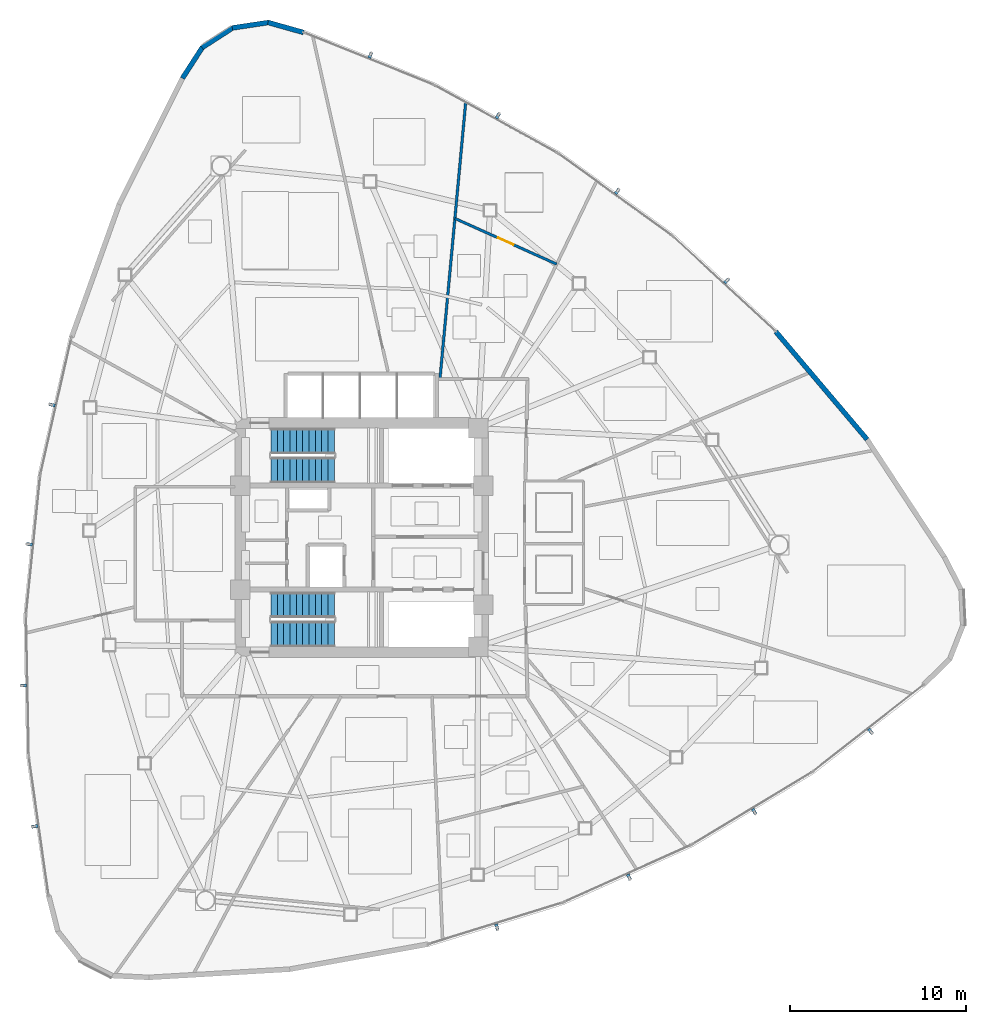
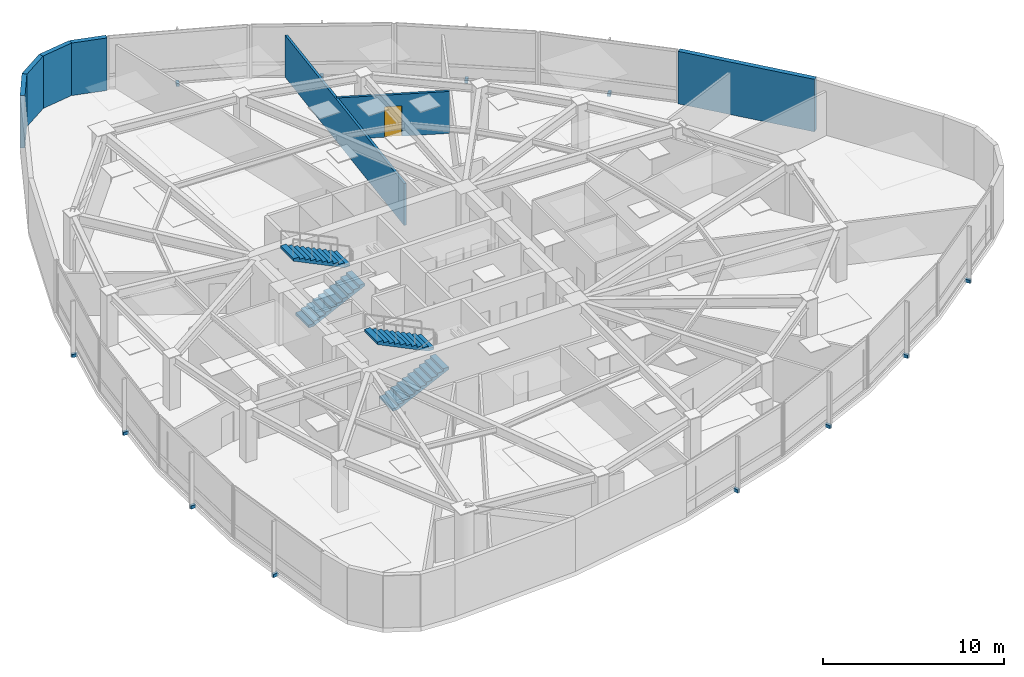
# One storey, part 13 of 17: 12 discrete accessories, 7 walls, 4 stair flights, 1 door, 1 opening, 2 elements without a shape of their own.
"""IFC4 building model written with IfcOpenShell, lengths in metres."""

from ifc_helpers import new_model, si_unit, direction, frame, frame_2d, origin, origin_2d, place, context, subcontext, project, spatial, polyline, rectangle, outline, extrude, source, transform, mapped, material, layer, layer_set, type_object, type_shapes, element, fill, aggregate, save


model = new_model("IFC4")

# Units and contexts
model_context = context("Model", 3, precision=1e-05, world=origin(), true_north=direction((0.0, 1.0)))
body_context = subcontext(model_context, "Body", "Model", "MODEL_VIEW")
ifc_project = project(units=[si_unit("LENGTHUNIT", "METRE"), si_unit("AREAUNIT", "SQUARE_METRE"), si_unit("VOLUMEUNIT", "CUBIC_METRE"), si_unit("PLANEANGLEUNIT", "RADIAN"), si_unit("MASSUNIT", "GRAM", prefix="KILO")], contexts=[model_context])

# Site, building, storey
site_placement = place(None, origin())
site = spatial("IfcSite", under=ifc_project, at=site_placement, CompositionType="ELEMENT")
building_placement = place(site_placement, origin())
building = spatial("IfcBuilding", under=site, at=building_placement, Name="Tavelor Broadcast Tower", CompositionType="ELEMENT")
storey_placement = place(building_placement, frame((0.0, 0.0, 119.449951171875)))
storey = spatial("IfcBuildingStorey", under=building, at=storey_placement, Name="L27", CompositionType="ELEMENT", Elevation=119.449951171875)

# Walls
ifc_material_1 = material(Name="Precast Concrete C40/50", Category="concrete")
ifc_layer_1 = layer(ifc_material_1, 0.280029296875)
ifc_layer_set_1 = layer_set([ifc_layer_1], Name="Precast Concrete C40/50")
wall_type_1 = type_object("IfcWallType", Name="Insulated Precast Terracotta Facade Wall 280 mm", PredefinedType="STANDARD", material=ifc_layer_set_1)
wall_1_placement = place(storey_placement, frame((46.693115234375, 73.658935546875, 0.0), z_axis=(0.0, 0.0, 1.0), x_axis=(-0.962462203844, 0.271415744149, 0.0)))
element("IfcWall", 1, at=wall_1_placement, inside=storey, type_object=wall_type_1, Name="L27 Rounded Corner Structural Cladding Pier 01", PredefinedType="STANDARD", context=body_context, shape_type="SweptSolid", body=[
    extrude(rectangle(XDim=2.088623046875, YDim=0.280029296875, at=frame_2d((1.04443359375, 0.0))), origin(), (0.0, 0.0, 1.0), 3.550048828125),
])
wall_2_placement = place(storey_placement, frame((44.7119140625, 74.22412109375, 0.0), z_axis=(0.0, 0.0, 1.0), x_axis=(-0.988881099221, -0.148708344094, 0.0)))
element("IfcWall", 2, at=wall_2_placement, inside=storey, type_object=wall_type_1, Name="L27 Rounded Corner Structural Cladding Pier 02", PredefinedType="STANDARD", context=body_context, shape_type="SweptSolid", body=[
    extrude(rectangle(XDim=2.076904296875, YDim=0.280029296875, at=frame_2d((1.03857421875, 0.0))), origin(), (0.0, 0.0, 1.0), 3.550048828125),
])
wall_3_placement = place(storey_placement, frame((42.685546875, 73.92578125, 0.0), z_axis=(0.0, 0.0, 1.0), x_axis=(-0.840080668431, -0.542461492208, 0.0)))
element("IfcWall", 3, at=wall_3_placement, inside=storey, type_object=wall_type_1, Name="L27 Rounded Corner Structural Cladding Pier 03", PredefinedType="STANDARD", context=body_context, shape_type="SweptSolid", body=[
    extrude(rectangle(XDim=2.0771484375, YDim=0.280029296875, at=frame_2d((1.03857421875, 0.0))), origin(), (0.0, 0.0, 1.0), 3.550048828125),
])
wall_4_placement = place(storey_placement, frame((40.96142578125, 72.819580078125, 0.0), z_axis=(0.0, 0.0, 1.0), x_axis=(-0.542484400509, -0.840065875515, 0.0)))
element("IfcWall", 4, at=wall_4_placement, inside=storey, type_object=wall_type_1, Name="L27 Rounded Corner Structural Cladding Pier 04", PredefinedType="STANDARD", context=body_context, shape_type="SweptSolid", body=[
    extrude(rectangle(XDim=2.099365234375, YDim=0.280029296875, at=frame_2d((1.0498046875, 0.0))), origin(), (0.0, 0.0, 1.0), 3.550048828125),
])
wall_5_placement = place(storey_placement, frame((78.672607421875, 50.567626953125, 0.0), z_axis=(0.0, 0.0, 1.0), x_axis=(-0.646427734031, 0.762975218913, 0.0)))
element("IfcWall", 5, at=wall_5_placement, inside=storey, type_object=wall_type_1, Name="L27 Rounded Corner Structural Cladding Pier 26", PredefinedType="STANDARD", context=body_context, shape_type="SweptSolid", body=[
    extrude(rectangle(XDim=8.02294921875, YDim=0.280029296875, at=frame_2d((4.011474609375, 0.0))), origin(), (0.0, 0.0, 1.0), 3.550048828125),
])
ifc_material_2 = material(Name="Gypsum Acoustic Plasterboard 150 mm", Category="gypsum")
ifc_layer_2 = layer(ifc_material_2, 0.14990234375)
ifc_layer_set_2 = layer_set([ifc_layer_2], Name="Gypsum Acoustic Plasterboard 150 mm")
wall_type_2 = type_object("IfcWallType", Name="Interior Acoustic Partition Wall 150 mm", PredefinedType="PARTITIONING", material=ifc_layer_set_2)
wall_6_placement = place(storey_placement, frame((54.437255859375, 54.0, 0.0), z_axis=(0.0, 0.0, 1.0), x_axis=(0.092624082928, 0.995701149573, 0.0)))
element("IfcWall", 6, at=wall_6_placement, inside=storey, type_object=wall_type_2, Name="L27 Radial Compartment Wall 07", PredefinedType="PARTITIONING", context=body_context, shape_type="SweptSolid", body=[
    extrude(rectangle(XDim=15.767578125, YDim=0.14990234375, at=frame_2d((7.8837890625, 0.0))), origin(), (0.0, 0.0, 1.0), 2.8349609375),
])

# Wall, opening, door
wall_7_placement = place(storey_placement, frame((61.05859375, 60.512939453125, 0.0), z_axis=(0.0, 0.0, 1.0), x_axis=(-0.912244531932, 0.409646083784, 0.0)))
wall_7 = element("IfcWall", 7, at=wall_7_placement, inside=storey, type_object=wall_type_2, Name="L27 Suite Chord Partition Wall 02", PredefinedType="PARTITIONING", context=body_context, shape_type="SweptSolid", body=[
    extrude(rectangle(XDim=6.329833984375, YDim=0.14990234375, at=frame_2d((3.1650390625, 0.0))), origin(), (0.0, 0.0, 1.0), 2.8349609375),
])
opening_placement = place(wall_7_placement, frame((2.68994140625, 0.0, 0.0)))
opening = element("IfcOpeningElement", 8, at=opening_placement, cuts=wall_7, Name="Opening DR23", PredefinedType="OPENING", context=body_context, shape_type="SweptSolid", body=[
    extrude(rectangle(XDim=0.949951171875, YDim=2.050048828125, at=frame_2d((0.47509765625, 1.02490234375))), frame((0.0, 0.0849609375, 0.0), z_axis=(0.0, -1.0, 0.0), x_axis=(1.0, 0.0, 0.0)), (0.0, 0.0, 1.0), 0.169921875),
])
ifc_material_3 = material(Name="Timber Solid Core Hardwood", Category="wood")
door_type = type_object("IfcDoorType", Name="Editorial Room Acoustic Door 950x2050", OperationType="NOTDEFINED", PredefinedType="DOOR", material=ifc_material_3)
door_placement = place(opening_placement, origin())
door = element("IfcDoor", 9, at=door_placement, inside=storey, type_object=door_type, Name="L27 Outer Suite Partition Door 2", OperationType="SINGLE_SWING_LEFT", OverallHeight=2.050048828125, OverallWidth=0.949951171875, PredefinedType="DOOR", context=body_context, shape_type="SweptSolid", body=[
    extrude(rectangle(XDim=0.949951171875, YDim=2.050048828125, at=frame_2d((0.47509765625, 1.02490234375))), frame((0.0, 0.02490234375, 0.0), z_axis=(0.0, -1.0, 0.0), x_axis=(1.0, 0.0, 0.0)), (0.0, 0.0, 1.0), 0.050048828125),
])
fill(opening, door)

# Stair, stair flights
ifc_material_4 = material(Name="Concrete C40/50", Category="concrete")
stair_type = type_object("IfcStairType", Name="Reinforced Concrete Protected Dogleg Stair 1450 mm", PredefinedType="HALF_TURN_STAIR", material=ifc_material_4)
stair_1_placement = place(storey_placement, origin())
stair_1 = element("IfcStair", 10, at=stair_1_placement, inside=storey, type_object=stair_type, Name="L27 Protected Core Exit Stair ST1", PredefinedType="HALF_TURN_STAIR")
stair_flight_type = type_object("IfcStairFlightType", Name="Reinforced Concrete Stair Flight 1450 mm", PredefinedType="STRAIGHT", material=ifc_material_4)
stair_flight_1_placement = place(storey_placement, frame((44.85009765625, 48.824951171875, 0.0), z_axis=(0.0, 0.0, 1.0), x_axis=(1.0, 0.0, 0.0)))
stair_flight_1 = element("IfcStairFlight", 11, at=stair_flight_1_placement, type_object=stair_flight_type, Name="ST1 flight 1", NumberOfRisers=11, NumberOfTreads=10, PredefinedType="STRAIGHT", RiserHeight=0.175, TreadLength=0.36, context=body_context, shape_type="SweptSolid", body=[
    extrude(outline(polyline([(0.0, 0.0), (0.0, 0.175048828125), (0.360107421875, 0.175048828125), (0.360107421875, 0.35009765625), (0.719970703125, 0.35009765625), (0.719970703125, 0.52490234375), (1.080078125, 0.52490234375), (1.080078125, 0.699951171875), (1.43994140625, 0.699951171875), (1.43994140625, 0.875), (1.800048828125, 0.875), (1.800048828125, 1.050048828125), (2.159912109375, 1.050048828125), (2.159912109375, 1.22509765625), (2.52001953125, 1.22509765625), (2.52001953125, 1.39990234375), (2.8798828125, 1.39990234375), (2.8798828125, 1.574951171875), (3.239990234375, 1.574951171875), (3.239990234375, 1.75), (3.60009765625, 1.75), (3.60009765625, 1.925048828125), (3.60009765625, 1.583251953125), (0.3427734375, 0.0), (0.0, 0.0)])), frame((0.0, 0.72509765625, 0.0), z_axis=(0.0, -1.0, 0.0), x_axis=(1.0, 0.0, 0.0)), (0.0, 0.0, 1.0), 1.449951171875),
])
stair_flight_2_placement = place(storey_placement, frame((48.449951171875, 50.47509765625, 1.925048828125), z_axis=(0.0, 0.0, 1.0), x_axis=(-1.0, 0.0, 0.0)))
stair_flight_2 = element("IfcStairFlight", 12, at=stair_flight_2_placement, type_object=stair_flight_type, Name="ST1 flight 2", NumberOfRisers=11, NumberOfTreads=10, PredefinedType="STRAIGHT", RiserHeight=0.175, TreadLength=0.36, context=body_context, shape_type="SweptSolid", body=[
    extrude(outline(polyline([(0.0, 0.0), (0.0, 0.175048828125), (0.360107421875, 0.175048828125), (0.360107421875, 0.35009765625), (0.719970703125, 0.35009765625), (0.719970703125, 0.52490234375), (1.080078125, 0.52490234375), (1.080078125, 0.699951171875), (1.43994140625, 0.699951171875), (1.43994140625, 0.875), (1.800048828125, 0.875), (1.800048828125, 1.050048828125), (2.159912109375, 1.050048828125), (2.159912109375, 1.22509765625), (2.52001953125, 1.22509765625), (2.52001953125, 1.39990234375), (2.8798828125, 1.39990234375), (2.8798828125, 1.574951171875), (3.239990234375, 1.574951171875), (3.239990234375, 1.75), (3.60009765625, 1.75), (3.60009765625, 1.925048828125), (3.60009765625, 1.583251953125), (0.3427734375, 0.0), (0.0, 0.0)])), frame((0.0, 0.72509765625, 0.0), z_axis=(0.0, -1.0, 0.0), x_axis=(1.0, 0.0, 0.0)), (0.0, 0.0, 1.0), 1.449951171875),
])
aggregate(stair_1, [stair_flight_1, stair_flight_2])

stair_2_placement = place(storey_placement, origin())
stair_2 = element("IfcStair", 13, at=stair_2_placement, inside=storey, type_object=stair_type, Name="L27 Protected Core Exit Stair ST2", PredefinedType="HALF_TURN_STAIR")
stair_flight_3_placement = place(storey_placement, frame((44.85009765625, 39.52490234375, 0.0), z_axis=(0.0, 0.0, 1.0), x_axis=(1.0, 0.0, 0.0)))
stair_flight_3 = element("IfcStairFlight", 14, at=stair_flight_3_placement, type_object=stair_flight_type, Name="ST2 flight 1", NumberOfRisers=11, NumberOfTreads=10, PredefinedType="STRAIGHT", RiserHeight=0.175, TreadLength=0.36, context=body_context, shape_type="SweptSolid", body=[
    extrude(outline(polyline([(0.0, 0.0), (0.0, 0.175048828125), (0.360107421875, 0.175048828125), (0.360107421875, 0.35009765625), (0.719970703125, 0.35009765625), (0.719970703125, 0.52490234375), (1.080078125, 0.52490234375), (1.080078125, 0.699951171875), (1.43994140625, 0.699951171875), (1.43994140625, 0.875), (1.800048828125, 0.875), (1.800048828125, 1.050048828125), (2.159912109375, 1.050048828125), (2.159912109375, 1.22509765625), (2.52001953125, 1.22509765625), (2.52001953125, 1.39990234375), (2.8798828125, 1.39990234375), (2.8798828125, 1.574951171875), (3.239990234375, 1.574951171875), (3.239990234375, 1.75), (3.60009765625, 1.75), (3.60009765625, 1.925048828125), (3.60009765625, 1.583251953125), (0.3427734375, 0.0), (0.0, 0.0)])), frame((0.0, 0.72509765625, 0.0), z_axis=(0.0, -1.0, 0.0), x_axis=(1.0, 0.0, 0.0)), (0.0, 0.0, 1.0), 1.449951171875),
])
stair_flight_4_placement = place(storey_placement, frame((48.449951171875, 41.175048828125, 1.925048828125), z_axis=(0.0, 0.0, 1.0), x_axis=(-1.0, 0.0, 0.0)))
stair_flight_4 = element("IfcStairFlight", 15, at=stair_flight_4_placement, type_object=stair_flight_type, Name="ST2 flight 2", NumberOfRisers=11, NumberOfTreads=10, PredefinedType="STRAIGHT", RiserHeight=0.175, TreadLength=0.36, context=body_context, shape_type="SweptSolid", body=[
    extrude(outline(polyline([(0.0, 0.0), (0.0, 0.175048828125), (0.360107421875, 0.175048828125), (0.360107421875, 0.35009765625), (0.719970703125, 0.35009765625), (0.719970703125, 0.52490234375), (1.080078125, 0.52490234375), (1.080078125, 0.699951171875), (1.43994140625, 0.699951171875), (1.43994140625, 0.875), (1.800048828125, 0.875), (1.800048828125, 1.050048828125), (2.159912109375, 1.050048828125), (2.159912109375, 1.22509765625), (2.52001953125, 1.22509765625), (2.52001953125, 1.39990234375), (2.8798828125, 1.39990234375), (2.8798828125, 1.574951171875), (3.239990234375, 1.574951171875), (3.239990234375, 1.75), (3.60009765625, 1.75), (3.60009765625, 1.925048828125), (3.60009765625, 1.583251953125), (0.3427734375, 0.0), (0.0, 0.0)])), frame((0.0, 0.72509765625, 0.0), z_axis=(0.0, -1.0, 0.0), x_axis=(1.0, 0.0, 0.0)), (0.0, 0.0, 1.0), 1.449951171875),
])
aggregate(stair_2, [stair_flight_3, stair_flight_4])

# Discrete accessories
ifc_material_5 = material(Name="Steel S355", Category="steel")
discrete_accessory_type = type_object("IfcDiscreteAccessoryType", Name="Stainless Baguette Outrigger Support Bracket 260x180", PredefinedType="BRACKET", material=ifc_material_5)
shared_shape = source(origin(), body_context, "Body", "SweptSolid", [
    extrude(rectangle(XDim=0.179931640625, YDim=0.340087890625, at=origin_2d()), origin(), (0.0, 0.0, 1.0), 0.216064453125),
])
type_shapes(discrete_accessory_type, [shared_shape])
for number, where, z_axis, x_axis, name in (
    (16, (32.435791015625, 52.527099609375, -0.2578125), (0.0, 0.0, 1.0), (-0.22120809279, -0.975226629909, 0.0), "L27 Baguette Outrigger Bracket 253"),
    (17, (31.140380859375, 44.616455078125, -0.2578125), (0.0, 0.0, 1.0), (-0.1014035699, -0.994845372916, 0.0), "L27 Baguette Outrigger Bracket 254"),
    (18, (30.811767578125, 36.607421875, -0.2578125), (0.0, 0.0, 1.0), (0.019720942027, -0.999805523312, 0.0), "L27 Baguette Outrigger Bracket 255"),
    (19, (31.454833984375, 28.6171875, -0.2578125), (0.0, 0.0, 1.0), (0.14055563991, -0.990072781208, 0.0), "L27 Baguette Outrigger Bracket 256"),
    (20, (57.663330078125, 22.90771484375, -0.2578125), (0.0, 0.0, 1.0), (0.955175082344, 0.296041487076, 0.0), "L27 Baguette Outrigger Bracket 257"),
    (21, (65.161865234375, 25.7412109375, -0.2578125), (0.0, 0.0, 1.0), (0.912263150732, 0.40960461889, 0.0), "L27 Baguette Outrigger Bracket 258"),
    (22, (72.262451171875, 29.461181640625, -0.2578125), (0.0, 0.0, 1.0), (0.855996511019, 0.516981598438, 0.0), "L27 Baguette Outrigger Bracket 259"),
    (23, (78.8603515625, 34.01318359375, -0.2578125), (0.0, 0.0, 1.0), (0.787150360167, 0.616761145412, 0.0), "L27 Baguette Outrigger Bracket 260"),
    (24, (70.70068359375, 59.565185546875, -0.2578125), (0.0, 0.0, 1.0), (-0.734085518544, 0.679057031084, 0.0), "L27 Baguette Outrigger Bracket 261"),
    (25, (64.497802734375, 64.642333984375, -0.2578125), (0.0, 0.0, 1.0), (-0.810757424702, 0.585382266806, 0.0), "L27 Baguette Outrigger Bracket 262"),
    (26, (57.725830078125, 68.931396484375, -0.2578125), (0.0, 0.0, 1.0), (-0.875717453046, 0.482823924874, 0.0), "L27 Baguette Outrigger Bracket 263"),
    (27, (50.484619140625, 72.36962890625, -0.2578125), (0.0, 0.0, 1.0), (-0.927706000077, 0.373311635797, 0.0), "L27 Baguette Outrigger Bracket 264"),
):
    element("IfcDiscreteAccessory", number, at=place(storey_placement, frame(where, z_axis=z_axis, x_axis=x_axis)), inside=storey, type_object=discrete_accessory_type, Name=name, PredefinedType="BRACKET", context=body_context, shape_type="MappedRepresentation", body=[
        mapped(shared_shape, transform((0.0, 0.0, 0.0), scale=1.0)),
    ])

save(model, "model.ifc")
